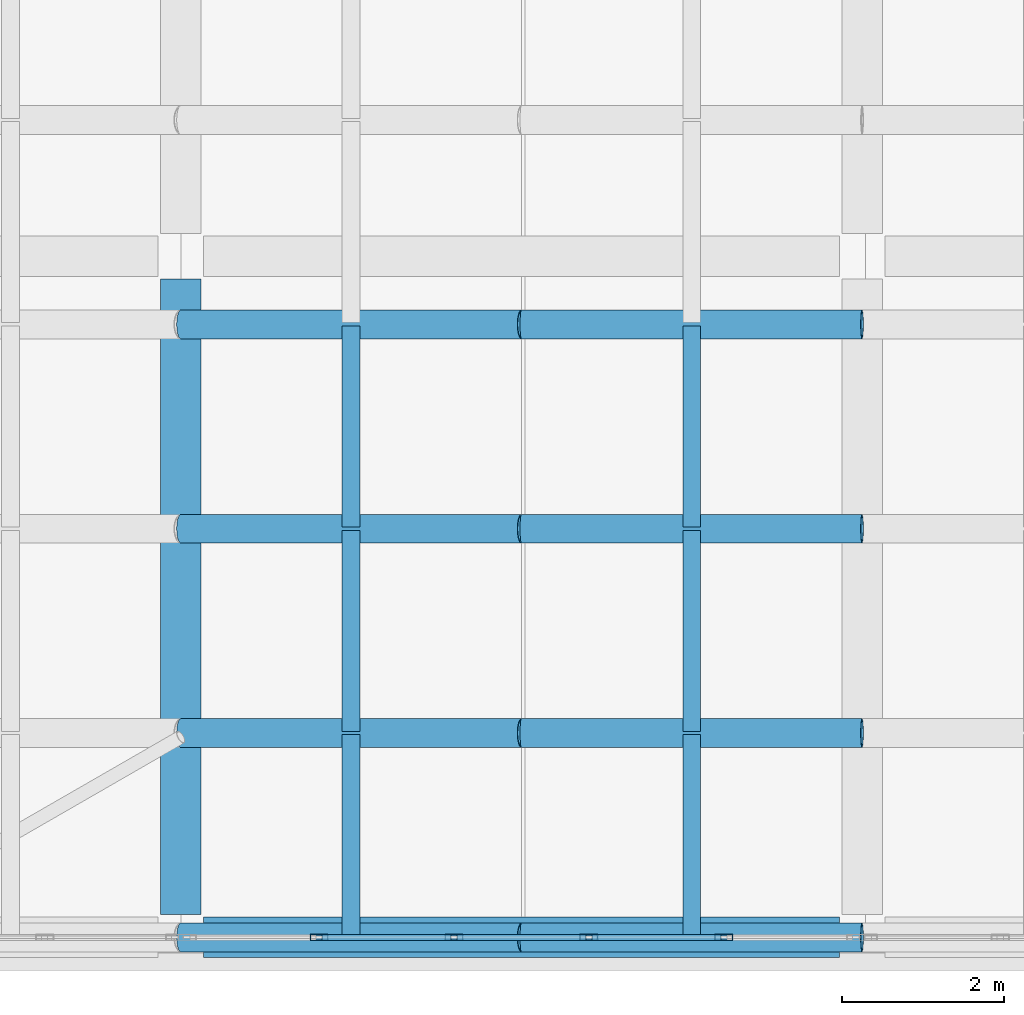
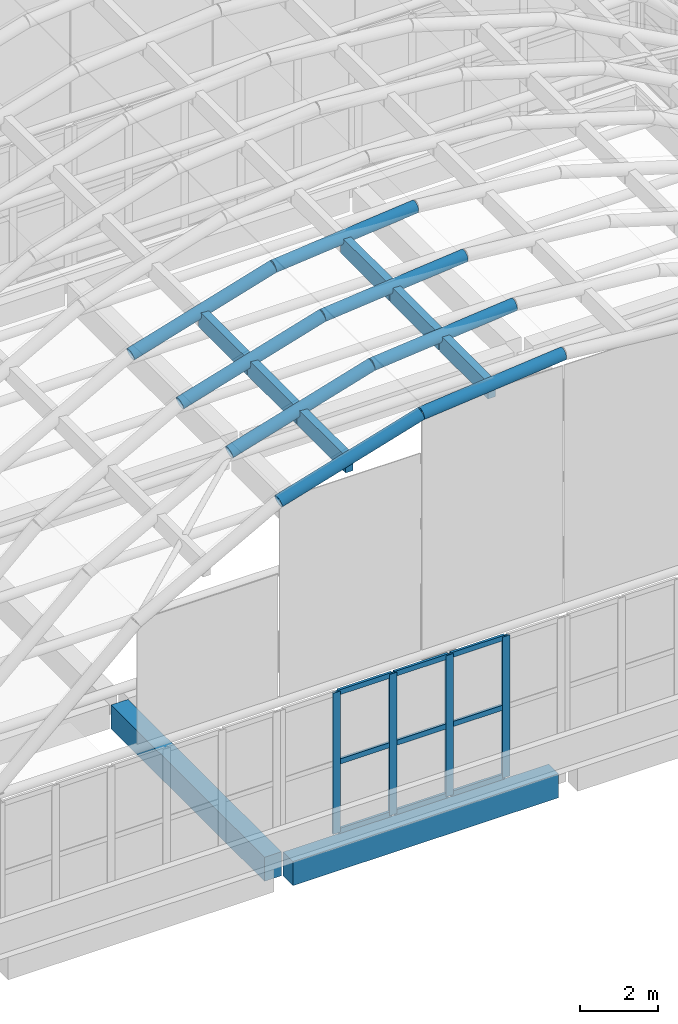
# One storey, part 4 of 26: 19 members, 10 beams, 1 element without a shape of its own.
"""IFC4 building model written with IfcOpenShell, lengths in metres."""

from ifc_helpers import new_model, si_unit, direction, frame, origin, origin_2d, place, context, subcontext, project, spatial, rectangle, hollow_rectangle, hollow_circle, extrude, material, layer, layer_set, material_profile, profile_set, type_object, element, aggregate, save


model = new_model("IFC4")

# Units and contexts
model_context = context("Model", 3, precision=1e-05, world=origin(), true_north=direction((0.0, 1.0)))
body_context = subcontext(model_context, "Body", "Model", "MODEL_VIEW")
ifc_project = project(units=[si_unit("LENGTHUNIT", "METRE"), si_unit("AREAUNIT", "SQUARE_METRE"), si_unit("VOLUMEUNIT", "CUBIC_METRE"), si_unit("PLANEANGLEUNIT", "RADIAN"), si_unit("MASSUNIT", "GRAM", prefix="KILO")], contexts=[model_context])

# Site, building, storey
site_placement = place(None, origin())
site = spatial("IfcSite", under=ifc_project, at=site_placement, CompositionType="ELEMENT")
building_placement = place(site_placement, origin())
building = spatial("IfcBuilding", under=site, at=building_placement, Name="Xazarin Passage Department Store", CompositionType="ELEMENT")
storey_placement = place(building_placement, frame((0.0, 0.0, 36.89990234375)))
storey = spatial("IfcBuildingStorey", under=building, at=storey_placement, Name="RF", CompositionType="ELEMENT", Elevation=36.89990234375)

# Curtain wall, members
ifc_material_1 = material(Name="Bronze anodised aluminium", Category="aluminium")
ifc_layer = layer(ifc_material_1, 0.199951171875)
ifc_layer_set = layer_set([ifc_layer], Name="Bronze anodised aluminium")
curtain_wall_type = type_object("IfcCurtainWallType", Name="ARC-CW-VIT2", PredefinedType="NOTDEFINED", material=ifc_layer_set)
curtain_wall_placement = place(storey_placement, origin())
curtain_wall = element("IfcCurtainWall", 1, at=curtain_wall_placement, inside=storey, type_object=curtain_wall_type, Name="RF V1 Atrium Lantern Curtain Wall 09", PredefinedType="NOTDEFINED")
ifc_material_profile_1 = material_profile(ifc_material_1, hollow_rectangle(XDim=0.074951171875, YDim=0.219970703125, WallThickness=0.0048828125, at=origin_2d()), Name="ALU 75x220")
ifc_profile_set_1 = profile_set([ifc_material_profile_1], Name="Bronze anodised aluminium")
member_type_1 = type_object("IfcMemberType", Name="ARC-CWM-75x220", PredefinedType="MULLION", material=ifc_profile_set_1)
member_1_placement = place(storey_placement, frame((10.10400390625, 76.39990234375, 0.0), z_axis=(0.0, 0.0, 1.0), x_axis=(0.0, 1.0, 0.0)))
member_1 = element("IfcMember", 2, at=member_1_placement, type_object=member_type_1, Name="CW2 mullion 2", PredefinedType="MULLION", context=body_context, shape_type="SweptSolid", body=[
    extrude(hollow_rectangle(XDim=0.074951171875, YDim=0.219970703125, WallThickness=0.0048828125, at=origin_2d()), origin(), (0.0, 0.0, 1.0), 4.404296875),
])
member_2_placement = place(storey_placement, frame((11.76806640625, 76.39990234375, 0.0), z_axis=(0.0, 0.0, 1.0), x_axis=(0.0, 1.0, 0.0)))
member_2 = element("IfcMember", 3, at=member_2_placement, type_object=member_type_1, Name="CW2 mullion 3", PredefinedType="MULLION", context=body_context, shape_type="SweptSolid", body=[
    extrude(hollow_rectangle(XDim=0.074951171875, YDim=0.219970703125, WallThickness=0.0048828125, at=origin_2d()), origin(), (0.0, 0.0, 1.0), 4.404296875),
])
member_3_placement = place(storey_placement, frame((13.431884765625, 76.39990234375, 0.0), z_axis=(0.0, 0.0, 1.0), x_axis=(0.0, 1.0, 0.0)))
member_3 = element("IfcMember", 4, at=member_3_placement, type_object=member_type_1, Name="CW2 mullion 4", PredefinedType="MULLION", context=body_context, shape_type="SweptSolid", body=[
    extrude(hollow_rectangle(XDim=0.074951171875, YDim=0.219970703125, WallThickness=0.0048828125, at=origin_2d()), origin(), (0.0, 0.0, 1.0), 4.404296875),
])
member_4_placement = place(storey_placement, frame((15.095947265625, 76.39990234375, 0.0), z_axis=(0.0, 0.0, 1.0), x_axis=(0.0, 1.0, 0.0)))
member_4 = element("IfcMember", 5, at=member_4_placement, type_object=member_type_1, Name="CW2 mullion 5", PredefinedType="MULLION", context=body_context, shape_type="SweptSolid", body=[
    extrude(hollow_rectangle(XDim=0.074951171875, YDim=0.219970703125, WallThickness=0.0048828125, at=origin_2d()), origin(), (0.0, 0.0, 1.0), 4.404296875),
])
ifc_material_profile_2 = material_profile(ifc_material_1, hollow_rectangle(XDim=0.074951171875, YDim=0.159912109375, WallThickness=0.00439453125, at=origin_2d()), Name="ALU 75x160")
ifc_profile_set_2 = profile_set([ifc_material_profile_2], Name="Bronze anodised aluminium")
member_type_2 = type_object("IfcMemberType", Name="ARC-CWT-75x160", PredefinedType="USERDEFINED", material=ifc_profile_set_2)
member_5_placement = place(storey_placement, frame((10.1416015625, 76.39990234375, 0.03759765625), z_axis=(1.0, 0.0, 0.0), x_axis=(0.0, 1.0, 0.0)))
member_5 = element("IfcMember", 6, at=member_5_placement, type_object=member_type_2, Name="CW2 transom 2.1", ObjectType="TRANSOM", PredefinedType="USERDEFINED", context=body_context, shape_type="SweptSolid", body=[
    extrude(hollow_rectangle(XDim=0.074951171875, YDim=0.159912109375, WallThickness=0.00439453125, at=origin_2d()), origin(), (0.0, 0.0, 1.0), 1.5888671875),
])
member_6_placement = place(storey_placement, frame((10.1416015625, 76.39990234375, 2.2021484375), z_axis=(1.0, 0.0, 0.0), x_axis=(0.0, 1.0, 0.0)))
member_6 = element("IfcMember", 7, at=member_6_placement, type_object=member_type_2, Name="CW2 transom 2.2", ObjectType="TRANSOM", PredefinedType="USERDEFINED", context=body_context, shape_type="SweptSolid", body=[
    extrude(hollow_rectangle(XDim=0.074951171875, YDim=0.159912109375, WallThickness=0.00439453125, at=origin_2d()), origin(), (0.0, 0.0, 1.0), 1.5888671875),
])
member_7_placement = place(storey_placement, frame((10.1416015625, 76.39990234375, 4.36669921875), z_axis=(1.0, 0.0, 0.0), x_axis=(0.0, 1.0, 0.0)))
member_7 = element("IfcMember", 8, at=member_7_placement, type_object=member_type_2, Name="CW2 transom 2.3", ObjectType="TRANSOM", PredefinedType="USERDEFINED", context=body_context, shape_type="SweptSolid", body=[
    extrude(hollow_rectangle(XDim=0.074951171875, YDim=0.159912109375, WallThickness=0.00439453125, at=origin_2d()), origin(), (0.0, 0.0, 1.0), 1.5888671875),
])
member_8_placement = place(storey_placement, frame((11.805419921875, 76.39990234375, 0.03759765625), z_axis=(1.0, 0.0, 0.0), x_axis=(0.0, 1.0, 0.0)))
member_8 = element("IfcMember", 9, at=member_8_placement, type_object=member_type_2, Name="CW2 transom 3.1", ObjectType="TRANSOM", PredefinedType="USERDEFINED", context=body_context, shape_type="SweptSolid", body=[
    extrude(hollow_rectangle(XDim=0.074951171875, YDim=0.159912109375, WallThickness=0.00439453125, at=origin_2d()), origin(), (0.0, 0.0, 1.0), 1.589111328125),
])
member_9_placement = place(storey_placement, frame((11.805419921875, 76.39990234375, 2.2021484375), z_axis=(1.0, 0.0, 0.0), x_axis=(0.0, 1.0, 0.0)))
member_9 = element("IfcMember", 10, at=member_9_placement, type_object=member_type_2, Name="CW2 transom 3.2", ObjectType="TRANSOM", PredefinedType="USERDEFINED", context=body_context, shape_type="SweptSolid", body=[
    extrude(hollow_rectangle(XDim=0.074951171875, YDim=0.159912109375, WallThickness=0.00439453125, at=origin_2d()), origin(), (0.0, 0.0, 1.0), 1.589111328125),
])
member_10_placement = place(storey_placement, frame((11.805419921875, 76.39990234375, 4.36669921875), z_axis=(1.0, 0.0, 0.0), x_axis=(0.0, 1.0, 0.0)))
member_10 = element("IfcMember", 11, at=member_10_placement, type_object=member_type_2, Name="CW2 transom 3.3", ObjectType="TRANSOM", PredefinedType="USERDEFINED", context=body_context, shape_type="SweptSolid", body=[
    extrude(hollow_rectangle(XDim=0.074951171875, YDim=0.159912109375, WallThickness=0.00439453125, at=origin_2d()), origin(), (0.0, 0.0, 1.0), 1.589111328125),
])
member_11_placement = place(storey_placement, frame((13.469482421875, 76.39990234375, 0.03759765625), z_axis=(1.0, 0.0, 0.0), x_axis=(0.0, 1.0, 0.0)))
member_11 = element("IfcMember", 12, at=member_11_placement, type_object=member_type_2, Name="CW2 transom 4.1", ObjectType="TRANSOM", PredefinedType="USERDEFINED", context=body_context, shape_type="SweptSolid", body=[
    extrude(hollow_rectangle(XDim=0.074951171875, YDim=0.159912109375, WallThickness=0.00439453125, at=origin_2d()), origin(), (0.0, 0.0, 1.0), 1.589111328125),
])
member_12_placement = place(storey_placement, frame((13.469482421875, 76.39990234375, 2.2021484375), z_axis=(1.0, 0.0, 0.0), x_axis=(0.0, 1.0, 0.0)))
member_12 = element("IfcMember", 13, at=member_12_placement, type_object=member_type_2, Name="CW2 transom 4.2", ObjectType="TRANSOM", PredefinedType="USERDEFINED", context=body_context, shape_type="SweptSolid", body=[
    extrude(hollow_rectangle(XDim=0.074951171875, YDim=0.159912109375, WallThickness=0.00439453125, at=origin_2d()), origin(), (0.0, 0.0, 1.0), 1.589111328125),
])
member_13_placement = place(storey_placement, frame((13.469482421875, 76.39990234375, 4.36669921875), z_axis=(1.0, 0.0, 0.0), x_axis=(0.0, 1.0, 0.0)))
member_13 = element("IfcMember", 14, at=member_13_placement, type_object=member_type_2, Name="CW2 transom 4.3", ObjectType="TRANSOM", PredefinedType="USERDEFINED", context=body_context, shape_type="SweptSolid", body=[
    extrude(hollow_rectangle(XDim=0.074951171875, YDim=0.159912109375, WallThickness=0.00439453125, at=origin_2d()), origin(), (0.0, 0.0, 1.0), 1.589111328125),
])
aggregate(curtain_wall, [member_1, member_2, member_3, member_4, member_5, member_6, member_7, member_8, member_9, member_10, member_11, member_12, member_13])

# Beams
ifc_material_2 = material(Name="Steel S355", Category="steel")
ifc_material_profile_3 = material_profile(ifc_material_2, hollow_circle(Radius=0.177734375, WallThickness=0.01611328125, at=origin_2d()), Name="CHS 355.6x16")
ifc_profile_set_3 = profile_set([ifc_material_profile_3], Name="Steel S355")
beam_type_1 = type_object("IfcBeamType", Name="STR-BM-AR355", PredefinedType="BEAM", material=ifc_profile_set_3)
beam_1_placement = place(storey_placement, frame((8.39990234375, 76.39990234375, 10.933349609375), z_axis=(0.95770669563, 0.0, 0.287746216561), x_axis=(0.0, 1.0, 0.0)))
element("IfcBeam", 15, at=beam_1_placement, inside=storey, type_object=beam_type_1, Name="V1V Primary Arch Rib 1.3", PredefinedType="BEAM", context=body_context, shape_type="SweptSolid", body=[
    extrude(hollow_circle(Radius=0.177734375, WallThickness=0.01611328125, at=origin_2d()), origin(), (0.0, 0.0, 1.0), 4.3857421875),
])
beam_2_placement = place(storey_placement, frame((12.60009765625, 76.39990234375, 12.1953125), z_axis=(0.995387696044, 0.0, 0.095934011512), x_axis=(0.0, 1.0, 0.0)))
element("IfcBeam", 16, at=beam_2_placement, inside=storey, type_object=beam_type_1, Name="V1V Primary Arch Rib 1.4", PredefinedType="BEAM", context=body_context, shape_type="SweptSolid", body=[
    extrude(hollow_circle(Radius=0.177734375, WallThickness=0.01611328125, at=origin_2d()), origin(), (0.0, 0.0, 1.0), 4.219482421875),
])
beam_3_placement = place(storey_placement, frame((8.39990234375, 78.919921875, 10.933349609375), z_axis=(0.95770669563, 0.0, 0.287746216561), x_axis=(0.0, 1.0, 0.0)))
element("IfcBeam", 17, at=beam_3_placement, inside=storey, type_object=beam_type_1, Name="V1V Primary Arch Rib 2.3", PredefinedType="BEAM", context=body_context, shape_type="SweptSolid", body=[
    extrude(hollow_circle(Radius=0.177734375, WallThickness=0.01611328125, at=origin_2d()), origin(), (0.0, 0.0, 1.0), 4.3857421875),
])
beam_4_placement = place(storey_placement, frame((12.60009765625, 78.919921875, 12.1953125), z_axis=(0.995387696044, 0.0, 0.095934011512), x_axis=(0.0, 1.0, 0.0)))
element("IfcBeam", 18, at=beam_4_placement, inside=storey, type_object=beam_type_1, Name="V1V Primary Arch Rib 2.4", PredefinedType="BEAM", context=body_context, shape_type="SweptSolid", body=[
    extrude(hollow_circle(Radius=0.177734375, WallThickness=0.01611328125, at=origin_2d()), origin(), (0.0, 0.0, 1.0), 4.219482421875),
])
beam_5_placement = place(storey_placement, frame((8.39990234375, 81.43994140625, 10.933349609375), z_axis=(0.95770669563, 0.0, 0.287746216561), x_axis=(0.0, 1.0, 0.0)))
element("IfcBeam", 19, at=beam_5_placement, inside=storey, type_object=beam_type_1, Name="V1V Primary Arch Rib 3.3", PredefinedType="BEAM", context=body_context, shape_type="SweptSolid", body=[
    extrude(hollow_circle(Radius=0.177734375, WallThickness=0.01611328125, at=origin_2d()), origin(), (0.0, 0.0, 1.0), 4.3857421875),
])
beam_6_placement = place(storey_placement, frame((12.60009765625, 81.43994140625, 12.1953125), z_axis=(0.995387696044, 0.0, 0.095934011512), x_axis=(0.0, 1.0, 0.0)))
element("IfcBeam", 20, at=beam_6_placement, inside=storey, type_object=beam_type_1, Name="V1V Primary Arch Rib 3.4", PredefinedType="BEAM", context=body_context, shape_type="SweptSolid", body=[
    extrude(hollow_circle(Radius=0.177734375, WallThickness=0.01611328125, at=origin_2d()), origin(), (0.0, 0.0, 1.0), 4.219482421875),
])
beam_7_placement = place(storey_placement, frame((8.39990234375, 83.9599609375, 10.933349609375), z_axis=(0.95770669563, 0.0, 0.287746216561), x_axis=(0.0, 1.0, 0.0)))
element("IfcBeam", 21, at=beam_7_placement, inside=storey, type_object=beam_type_1, Name="V1V Primary Arch Rib 4.3", PredefinedType="BEAM", context=body_context, shape_type="SweptSolid", body=[
    extrude(hollow_circle(Radius=0.177734375, WallThickness=0.01611328125, at=origin_2d()), origin(), (0.0, 0.0, 1.0), 4.3857421875),
])
beam_8_placement = place(storey_placement, frame((12.60009765625, 83.9599609375, 12.1953125), z_axis=(0.995387696044, 0.0, 0.095934011512), x_axis=(0.0, 1.0, 0.0)))
element("IfcBeam", 22, at=beam_8_placement, inside=storey, type_object=beam_type_1, Name="V1V Primary Arch Rib 4.4", PredefinedType="BEAM", context=body_context, shape_type="SweptSolid", body=[
    extrude(hollow_circle(Radius=0.177734375, WallThickness=0.01611328125, at=origin_2d()), origin(), (0.0, 0.0, 1.0), 4.219482421875),
])
ifc_material_3 = material(Name="Concrete C35/45", Category="concrete")
ifc_material_profile_4 = material_profile(ifc_material_3, rectangle(XDim=0.5, YDim=0.75, at=origin_2d()), Name="RC 500x750")
ifc_profile_set_4 = profile_set([ifc_material_profile_4], Name="Concrete C35/45")
beam_type_2 = type_object("IfcBeamType", Name="STR-BM-SP500x750", PredefinedType="SPANDREL", material=ifc_profile_set_4)
for number, where, z_axis, x_axis, name in (
    (23, (8.679931640625, 76.39990234375, -0.635009765625), (1.0, 0.0, 0.0), (0.0, 1.0, 0.0), "RF Grid Beam L/2-3"),
    (24, (8.39990234375, 76.679931640625, -0.635009765625), (0.0, 1.0, 0.0), (-1.0, 0.0, 0.0), "RF Grid Beam 2/L-M"),
):
    element("IfcBeam", number, at=place(storey_placement, frame(where, z_axis=z_axis, x_axis=x_axis)), inside=storey, type_object=beam_type_2, Name=name, PredefinedType="SPANDREL", context=body_context, shape_type="SweptSolid", body=[
        extrude(rectangle(XDim=0.5, YDim=0.75, at=origin_2d()), origin(), (0.0, 0.0, 1.0), 7.840087890625),
    ])

# Members
ifc_material_4 = material(Name="Glulam GL28h", Category="wood")
ifc_material_profile_5 = material_profile(ifc_material_4, rectangle(XDim=0.219970703125, YDim=0.52001953125, at=origin_2d()), Name="GL28h 220x520")
ifc_profile_set_5 = profile_set([ifc_material_profile_5], Name="Glulam GL28h")
member_type_3 = type_object("IfcMemberType", Name="STR-MEM-GL520", PredefinedType="PURLIN", material=ifc_profile_set_5)
for number, where, z_axis, x_axis, name in (
    (25, (10.5, 76.419921875, 11.3623046875), (0.0, 1.0, 0.0), (-1.0, 0.0, 0.0), "V1V Glulam Gridshell Purlin 1.3"),
    (26, (14.699951171875, 76.419921875, 12.195556640625), (0.0, 1.0, 0.0), (-1.0, 0.0, 0.0), "V1V Glulam Gridshell Purlin 1.4"),
    (27, (10.5, 78.93994140625, 11.3623046875), (0.0, 1.0, 0.0), (-1.0, 0.0, 0.0), "V1V Glulam Gridshell Purlin 2.3"),
    (28, (14.699951171875, 78.93994140625, 12.195556640625), (0.0, 1.0, 0.0), (-1.0, 0.0, 0.0), "V1V Glulam Gridshell Purlin 2.4"),
    (29, (10.5, 81.4599609375, 11.3623046875), (0.0, 1.0, 0.0), (-1.0, 0.0, 0.0), "V1V Glulam Gridshell Purlin 3.3"),
    (30, (14.699951171875, 81.4599609375, 12.195556640625), (0.0, 1.0, 0.0), (-1.0, 0.0, 0.0), "V1V Glulam Gridshell Purlin 3.4"),
):
    element("IfcMember", number, at=place(storey_placement, frame(where, z_axis=z_axis, x_axis=x_axis)), inside=storey, type_object=member_type_3, Name=name, PredefinedType="PURLIN", context=body_context, shape_type="SweptSolid", body=[
        extrude(rectangle(XDim=0.219970703125, YDim=0.52001953125, at=origin_2d()), origin(), (0.0, 0.0, 1.0), 2.47998046875),
    ])

save(model, "model.ifc")
